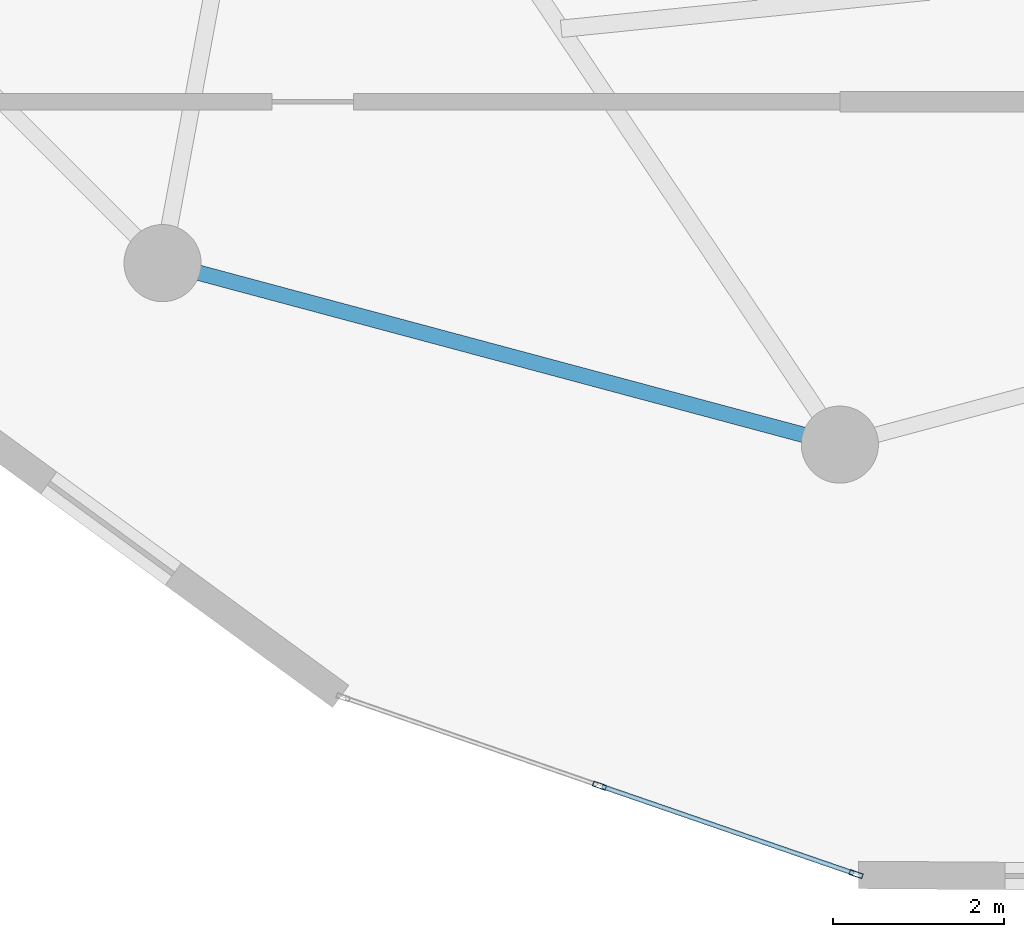
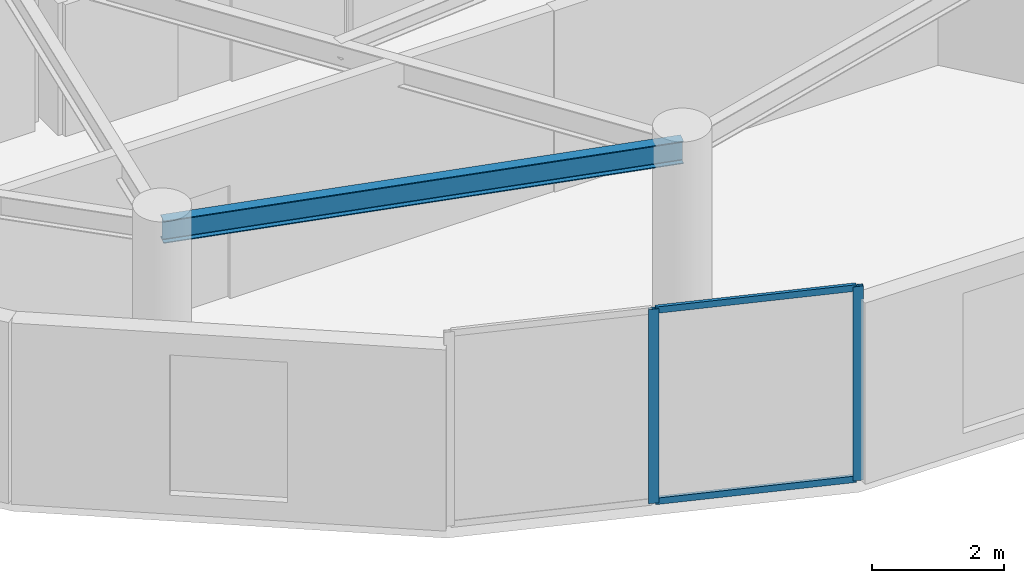
# One storey, part 4 of 17: 4 members, 1 beam, 1 element without a shape of its own.
"""IFC4 building model written with IfcOpenShell, lengths in metres."""

from ifc_helpers import new_model, si_unit, direction, frame, origin, origin_2d, place, context, subcontext, project, spatial, hollow_rectangle, i_section, extrude, source, transform, mapped, material, layer, layer_set, material_profile, profile_set, type_object, element, aggregate, save


model = new_model("IFC4")

# Units and contexts
model_context = context("Model", 3, precision=1e-05, world=origin(), true_north=direction((0.0, 1.0)))
body_context = subcontext(model_context, "Body", "Model", "MODEL_VIEW")
ifc_project = project(units=[si_unit("LENGTHUNIT", "METRE"), si_unit("AREAUNIT", "SQUARE_METRE"), si_unit("VOLUMEUNIT", "CUBIC_METRE"), si_unit("PLANEANGLEUNIT", "RADIAN"), si_unit("MASSUNIT", "GRAM", prefix="KILO")], contexts=[model_context])

# Site, building, storey
site_placement = place(None, origin())
site = spatial("IfcSite", under=ifc_project, at=site_placement, CompositionType="ELEMENT")
building_placement = place(site_placement, origin())
building = spatial("IfcBuilding", under=site, at=building_placement, Name="Solvirekh Grand Hotel", CompositionType="ELEMENT")
storey_placement = place(building_placement, frame((0.0, 0.0, 191.199951171875)))
storey = spatial("IfcBuildingStorey", under=building, at=storey_placement, Name="L49", CompositionType="ELEMENT", Elevation=191.199951171875)

# Beam
ifc_material_1 = material(Name="Steel S355", Category="steel")
ifc_material_profile_1 = material_profile(ifc_material_1, i_section(OverallWidth=0.180908203125, OverallDepth=0.4169921875, WebThickness=0.010009765625, FlangeThickness=0.01611328125, FilletRadius=0.011962890625, at=origin_2d()), Name="W410X85")
ifc_profile_set_1 = profile_set([ifc_material_profile_1], Name="Steel S355")
beam_type = type_object("IfcBeamType", Name="Spandrel_Ring_W410", PredefinedType="SPANDREL", material=ifc_profile_set_1)
beam_placement = place(storey_placement, frame((-7.89990234375, -13.68310546875, 3.152099609375), z_axis=(0.965920601923, -0.258838541915, 0.0), x_axis=(0.258838541915, 0.965920601923, 0.0)))
element("IfcBeam", 1, at=beam_placement, inside=storey, type_object=beam_type, Name="L49 perimeter spandrel beam 9", PredefinedType="SPANDREL", context=body_context, shape_type="SweptSolid", body=[
    extrude(i_section(OverallWidth=0.180908203125, OverallDepth=0.4169921875, WebThickness=0.010009765625, FlangeThickness=0.01611328125, FilletRadius=0.011962890625, at=origin_2d()), origin(), (0.0, 0.0, 1.0), 8.1787109375),
])

# Curtain wall, members
ifc_material_2 = material(Name="Anodized Bronze Aluminium 6063-T6", Category="aluminium")
ifc_layer = layer(ifc_material_2, 0.159912109375)
ifc_layer_set = layer_set([ifc_layer], Name="Anodized Bronze Aluminium 6063-T6")
curtain_wall_type = type_object("IfcCurtainWallType", Name="CW_Sys4_HighZoneFlushBronzeCW", PredefinedType="NOTDEFINED", material=ifc_layer_set)
curtain_wall_placement = place(storey_placement, origin())
curtain_wall = element("IfcCurtainWall", 2, at=curtain_wall_placement, inside=storey, type_object=curtain_wall_type, Name="L49 unitised bronze-glass curtain wall CW-L49-C18", PredefinedType="NOTDEFINED")
ifc_material_profile_2 = material_profile(ifc_material_2, hollow_rectangle(XDim=0.06005859375, YDim=0.159912109375, WallThickness=0.0048828125, at=origin_2d()), Name="ALU RHS 160X60X5")
ifc_profile_set_2 = profile_set([ifc_material_profile_2], Name="Anodized Bronze Aluminium 6063-T6")
member_type_1 = type_object("IfcMemberType", Name="CWMullion_Sys4", PredefinedType="MULLION", material=ifc_profile_set_2)
shared_shape_1 = source(origin(), body_context, "Body", "SweptSolid", [
    extrude(hollow_rectangle(XDim=0.06005859375, YDim=0.159912109375, WallThickness=0.0048828125, at=origin_2d()), origin(), (0.0, 0.0, 1.0), 3.60009765625),
])
member_1_placement = place(storey_placement, frame((-2.802001953125, -19.779052734375, 0.0), z_axis=(0.0, 0.0, 1.0), x_axis=(0.325884557137, 0.945409570197, 0.0)))
member_1 = element("IfcMember", 3, at=member_1_placement, type_object=member_type_1, Name="U04 mullion 2", PredefinedType="MULLION", context=body_context, shape_type="MappedRepresentation", body=[
    mapped(shared_shape_1, transform((0.0, 0.0, 0.0), x_axis=(1.0, 0.0, 0.0), y_axis=(0.0, 1.0, 0.0), z_axis=(0.0, 0.0, 1.0), scale=1.0)),
])
member_2_placement = place(storey_placement, frame((0.189697265625, -20.810302734375, 0.0), z_axis=(0.0, 0.0, 1.0), x_axis=(0.325884557137, 0.945409570197, 0.0)))
member_2 = element("IfcMember", 4, at=member_2_placement, type_object=member_type_1, Name="U04 mullion 3", PredefinedType="MULLION", context=body_context, shape_type="MappedRepresentation", body=[
    mapped(shared_shape_1, transform((0.0, 0.0, 0.0), x_axis=(1.0, 0.0, 0.0), y_axis=(0.0, 1.0, 0.0), z_axis=(0.0, 0.0, 1.0), scale=1.0)),
])
ifc_material_profile_3 = material_profile(ifc_material_2, hollow_rectangle(XDim=0.054931640625, YDim=0.1201171875, WallThickness=0.00390625, at=origin_2d()), Name="ALU RHS 120X55X4")
ifc_profile_set_3 = profile_set([ifc_material_profile_3], Name="Anodized Bronze Aluminium 6063-T6")
member_type_2 = type_object("IfcMemberType", Name="CWTransom_Sys4", PredefinedType="USERDEFINED", material=ifc_profile_set_3)
shared_shape_2 = source(origin(), body_context, "Body", "SweptSolid", [
    extrude(hollow_rectangle(XDim=0.054931640625, YDim=0.1201171875, WallThickness=0.00390625, at=origin_2d()), origin(), (0.0, 0.0, 1.0), 3.1044921875),
])
member_3_placement = place(storey_placement, frame((-2.773681640625, -19.788818359375, 0.027587890625), z_axis=(0.945409746694, -0.325884045109, 0.0), x_axis=(0.325884045109, 0.945409746694, 0.0)))
member_3 = element("IfcMember", 5, at=member_3_placement, type_object=member_type_2, Name="U04 transom 2.1", ObjectType="TRANSOM", PredefinedType="USERDEFINED", context=body_context, shape_type="MappedRepresentation", body=[
    mapped(shared_shape_2, transform((0.0, 0.0, 0.0), x_axis=(1.0, 0.0, 0.0), y_axis=(0.0, 1.0, 0.0), z_axis=(0.0, 0.0, 1.0), scale=1.0)),
])
member_4_placement = place(storey_placement, frame((-2.773681640625, -19.788818359375, 3.572509765625), z_axis=(0.945409746694, -0.325884045109, 0.0), x_axis=(0.325884045109, 0.945409746694, 0.0)))
member_4 = element("IfcMember", 6, at=member_4_placement, type_object=member_type_2, Name="U04 transom 2.2", ObjectType="TRANSOM", PredefinedType="USERDEFINED", context=body_context, shape_type="MappedRepresentation", body=[
    mapped(shared_shape_2, transform((0.0, 0.0, 0.0), x_axis=(1.0, 0.0, 0.0), y_axis=(0.0, 1.0, 0.0), z_axis=(0.0, 0.0, 1.0), scale=1.0)),
])
aggregate(curtain_wall, [member_1, member_2, member_3, member_4])

save(model, "model.ifc")
